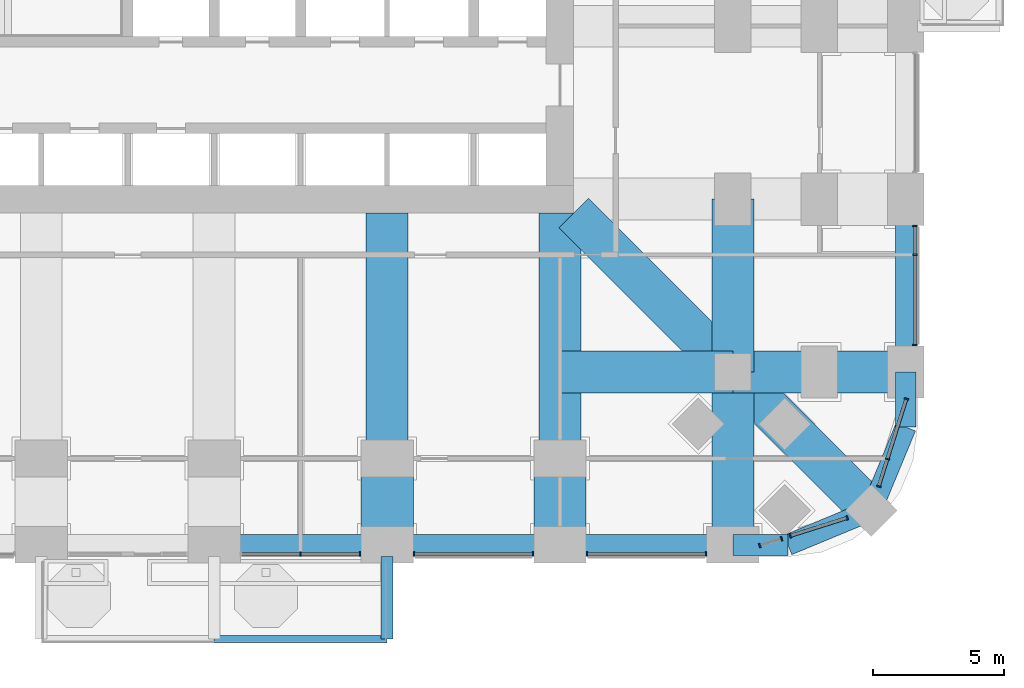
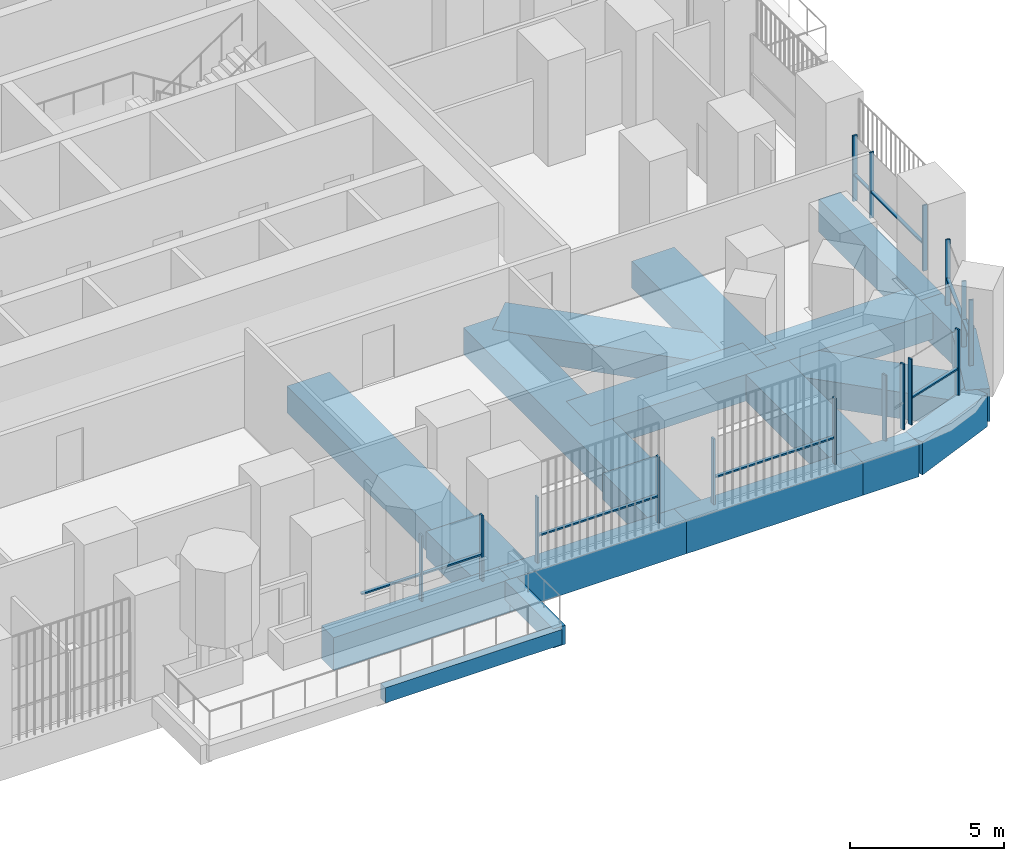
# One storey, part 4 of 25: 25 members, 20 beams, 7 elements without a shape of their own.
"""IFC4 building model written with IfcOpenShell, lengths in metres."""

from ifc_helpers import new_model, si_unit, direction, frame, origin, origin_2d, place, context, subcontext, project, spatial, rectangle, extrude, material, material_profile, profile_set, type_object, element, aggregate, save


model = new_model("IFC4")

# Units and contexts
model_context = context("Model", 3, precision=1e-05, world=origin(), true_north=direction((0.0, 1.0)))
body_context = subcontext(model_context, "Body", "Model", "MODEL_VIEW")
ifc_project = project(units=[si_unit("LENGTHUNIT", "METRE"), si_unit("AREAUNIT", "SQUARE_METRE"), si_unit("VOLUMEUNIT", "CUBIC_METRE"), si_unit("PLANEANGLEUNIT", "RADIAN"), si_unit("MASSUNIT", "GRAM", prefix="KILO")], contexts=[model_context])

# Site, building, storey
site_placement = place(None, origin())
site = spatial("IfcSite", under=ifc_project, at=site_placement, CompositionType="ELEMENT")
building_placement = place(site_placement, origin())
building = spatial("IfcBuilding", under=site, at=building_placement, Name="Cobogo Forest Laboratory Tower", CompositionType="ELEMENT")
storey_placement = place(building_placement, frame((0.0, 0.0, 67.5)))
storey = spatial("IfcBuildingStorey", under=building, at=storey_placement, Name="L15", CompositionType="ELEMENT", Elevation=67.5)

# Beams
ifc_material_1 = material(Name="Concrete HA-40 (C40/50)", Category="concrete")
ifc_material_profile_1 = material_profile(ifc_material_1, rectangle(XDim=0.449951171875, YDim=0.75, at=origin_2d()), Name="RC 450x750")
ifc_profile_set_1 = profile_set([ifc_material_profile_1], Name="Concrete HA-40 (C40/50)")
beam_type_1 = type_object("IfcBeamType", Name="Balcony cantilever beam 450x750", PredefinedType="BEAM", material=ifc_profile_set_1)
beam_1_placement = place(storey_placement, frame((33.0, -0.449951171875, -0.625), z_axis=(0.0, -1.0, 0.0), x_axis=(1.0, 0.0, 0.0)))
element("IfcBeam", 1, at=beam_1_placement, inside=storey, type_object=beam_type_1, Name="CB1 BAL-S1-C3 L15", PredefinedType="BEAM", context=body_context, shape_type="SweptSolid", body=[
    extrude(rectangle(XDim=0.449951171875, YDim=0.75, at=origin_2d()), origin(), (0.0, 0.0, 1.0), 3.150146484375),
])
ifc_material_profile_2 = material_profile(ifc_material_1, rectangle(XDim=0.300048828125, YDim=0.60009765625, at=origin_2d()), Name="RC 300x600")
ifc_profile_set_2 = profile_set([ifc_material_profile_2], Name="Concrete HA-40 (C40/50)")
beam_type_2 = type_object("IfcBeamType", Name="Balcony edge beam 300x600", PredefinedType="BEAM", material=ifc_profile_set_2)
beam_2_placement = place(storey_placement, frame((26.39990234375, -3.60009765625, -0.550048828125), z_axis=(1.0, 0.0, 0.0), x_axis=(0.0, 1.0, 0.0)))
element("IfcBeam", 2, at=beam_2_placement, inside=storey, type_object=beam_type_2, Name="BB1 BAL-S1-T2 L15", PredefinedType="BEAM", context=body_context, shape_type="SweptSolid", body=[
    extrude(rectangle(XDim=0.300048828125, YDim=0.60009765625, at=origin_2d()), origin(), (0.0, 0.0, 1.0), 6.60009765625),
])
ifc_material_2 = material(Name="Concrete HA-50 (C50/60)", Category="concrete")
ifc_material_profile_3 = material_profile(ifc_material_2, rectangle(XDim=2.0, YDim=1.050048828125, at=origin_2d()), Name="RC 2000x1050")
ifc_profile_set_3 = profile_set([ifc_material_profile_3], Name="Concrete HA-50 (C50/60)")
beam_type_3 = type_object("IfcBeamType", Name="End-bay wide beam 2000x1050", PredefinedType="BEAM", material=ifc_profile_set_3)
for number, where, z_axis, x_axis, name in (
    (3, (33.0, 0.0, -0.824951171875), (0.0, 1.0, 0.0), (-1.0, 0.0, 0.0), "RB7 R-6-S-X L15"),
    (4, (39.60009765625, 0.0, -0.824951171875), (0.0, 1.0, 0.0), (-1.0, 0.0, 0.0), "RB7 R-7-S-X L15"),
):
    element("IfcBeam", number, at=place(storey_placement, frame(where, z_axis=z_axis, x_axis=x_axis)), inside=storey, type_object=beam_type_3, Name=name, PredefinedType="BEAM", context=body_context, shape_type="SweptSolid", body=[
        extrude(rectangle(XDim=2.0, YDim=1.050048828125, at=origin_2d()), origin(), (0.0, 0.0, 1.0), 3.300048828125),
    ])
ifc_material_profile_4 = material_profile(ifc_material_2, rectangle(XDim=1.60009765625, YDim=1.050048828125, at=origin_2d()), Name="RC 1600x1050")
ifc_profile_set_4 = profile_set([ifc_material_profile_4], Name="Concrete HA-50 (C50/60)")
beam_type_4 = type_object("IfcBeamType", Name="Laboratory floor wide beam 1600x1050", PredefinedType="BEAM", material=ifc_profile_set_4)
for number, where, z_axis, x_axis, name in (
    (5, (33.0, 12.675048828125, -0.824951171875), (0.0, -1.0, 0.0), (1.0, 0.0, 0.0), "RB8 R-6-S L15"),
    (6, (39.60009765625, 12.675048828125, -0.824951171875), (0.0, -1.0, 0.0), (1.0, 0.0, 0.0), "RB8 R-7-S L15"),
):
    element("IfcBeam", number, at=place(storey_placement, frame(where, z_axis=z_axis, x_axis=x_axis)), inside=storey, type_object=beam_type_4, Name=name, PredefinedType="BEAM", context=body_context, shape_type="SweptSolid", body=[
        extrude(rectangle(XDim=1.60009765625, YDim=1.050048828125, at=origin_2d()), origin(), (0.0, 0.0, 1.0), 9.375),
    ])
beam_3_placement = place(storey_placement, frame((46.199951171875, 0.0, -0.824951171875), z_axis=(0.0, 1.0, 0.0), x_axis=(-1.0, 0.0, 0.0)))
element("IfcBeam", 7, at=beam_3_placement, inside=storey, type_object=beam_type_4, Name="RB8 G-SE-XF L15", PredefinedType="BEAM", context=body_context, shape_type="SweptSolid", body=[
    extrude(rectangle(XDim=1.60009765625, YDim=1.050048828125, at=origin_2d()), origin(), (0.0, 0.0, 1.0), 6.60009765625),
])
beam_4_placement = place(storey_placement, frame((46.199951171875, 6.60009765625, -0.824951171875), z_axis=(0.0, 1.0, 0.0), x_axis=(-1.0, 0.0, 0.0)))
element("IfcBeam", 8, at=beam_4_placement, inside=storey, type_object=beam_type_4, Name="RB8 G-SE-XC L15", PredefinedType="BEAM", context=body_context, shape_type="SweptSolid", body=[
    extrude(rectangle(XDim=1.60009765625, YDim=1.050048828125, at=origin_2d()), origin(), (0.0, 0.0, 1.0), 6.599853515625),
])
beam_5_placement = place(storey_placement, frame((52.800048828125, 6.60009765625, -0.824951171875), z_axis=(-1.0, 0.0, 0.0), x_axis=(0.0, -1.0, 0.0)))
element("IfcBeam", 9, at=beam_5_placement, inside=storey, type_object=beam_type_4, Name="RB8 G-SE-YF L15", PredefinedType="BEAM", context=body_context, shape_type="SweptSolid", body=[
    extrude(rectangle(XDim=1.60009765625, YDim=1.050048828125, at=origin_2d()), origin(), (0.0, 0.0, 1.0), 6.60009765625),
])
beam_6_placement = place(storey_placement, frame((46.199951171875, 6.60009765625, -0.824951171875), z_axis=(-1.0, 0.0, 0.0), x_axis=(0.0, -1.0, 0.0)))
element("IfcBeam", 10, at=beam_6_placement, inside=storey, type_object=beam_type_4, Name="RB8 G-SE-YC L15", PredefinedType="BEAM", context=body_context, shape_type="SweptSolid", body=[
    extrude(rectangle(XDim=1.60009765625, YDim=1.050048828125, at=origin_2d()), origin(), (0.0, 0.0, 1.0), 6.599853515625),
])
beam_7_placement = place(storey_placement, frame((51.48193359375, 1.318115234375, -0.824951171875), z_axis=(-0.707106781187, 0.707106781187, 0.0), x_axis=(-0.707106781187, -0.707106781187, 0.0)))
element("IfcBeam", 11, at=beam_7_placement, inside=storey, type_object=beam_type_4, Name="RB8 G-SE-D1 L15", PredefinedType="BEAM", context=body_context, shape_type="SweptSolid", body=[
    extrude(rectangle(XDim=1.60009765625, YDim=1.050048828125, at=origin_2d()), origin(), (0.0, 0.0, 1.0), 7.469970703125),
])
beam_8_placement = place(storey_placement, frame((46.199951171875, 6.60009765625, -0.824951171875), z_axis=(-0.707106781187, 0.707106781187, 0.0), x_axis=(-0.707106781187, -0.707106781187, 0.0)))
element("IfcBeam", 12, at=beam_8_placement, inside=storey, type_object=beam_type_4, Name="RB8 G-SE-D2 L15", PredefinedType="BEAM", context=body_context, shape_type="SweptSolid", body=[
    extrude(rectangle(XDim=1.60009765625, YDim=1.050048828125, at=origin_2d()), origin(), (0.0, 0.0, 1.0), 8.59130859375),
])

# Curtain wall, members
ifc_material_3 = material(Name="Aluminium curtain wall", Category="aluminium")
curtain_wall_type = type_object("IfcCurtainWallType", Name="CW-1 unitised curtain wall, clear glazing, laboratory floors zones A and B", PredefinedType="USERDEFINED", material=ifc_material_3)
curtain_wall_1_placement = place(storey_placement, origin())
curtain_wall_1 = element("IfcCurtainWall", 13, at=curtain_wall_1_placement, inside=storey, type_object=curtain_wall_type, Name="Curtain wall 04 L15", ObjectType="UNITISED CURTAIN WALL", PredefinedType="USERDEFINED")
ifc_material_4 = material(Name="Aluminium mullion", Category="aluminium")
ifc_material_profile_5 = material_profile(ifc_material_4, rectangle(XDim=0.06005859375, YDim=0.159912109375, at=origin_2d()), Name="AL 60x160")
ifc_profile_set_5 = profile_set([ifc_material_profile_5], Name="Aluminium mullion")
member_type_1 = type_object("IfcMemberType", Name="MU-1 aluminium mullion 60x160", PredefinedType="MULLION", material=ifc_profile_set_5)
member_1_placement = place(storey_placement, frame((29.699951171875, -0.35009765625, 0.0), z_axis=(0.0, 0.0, 1.0), x_axis=(1.0, 0.0, 0.0)))
member_1 = element("IfcMember", 14, at=member_1_placement, type_object=member_type_1, Name="CW-1 mullion 2", PredefinedType="MULLION", context=body_context, shape_type="SweptSolid", body=[
    extrude(rectangle(XDim=0.06005859375, YDim=0.159912109375, at=origin_2d()), origin(), (0.0, 0.0, 1.0), 2.60009765625),
])
member_2_placement = place(storey_placement, frame((31.969970703125, -0.35009765625, 0.0), z_axis=(0.0, 0.0, 1.0), x_axis=(1.0, 0.0, 0.0)))
member_2 = element("IfcMember", 15, at=member_2_placement, type_object=member_type_1, Name="CW-1 mullion 3", PredefinedType="MULLION", context=body_context, shape_type="SweptSolid", body=[
    extrude(rectangle(XDim=0.06005859375, YDim=0.159912109375, at=origin_2d()), origin(), (0.0, 0.0, 1.0), 2.60009765625),
])

curtain_wall_2_placement = place(storey_placement, origin())
curtain_wall_2 = element("IfcCurtainWall", 16, at=curtain_wall_2_placement, inside=storey, type_object=curtain_wall_type, Name="Curtain wall 05 L15", ObjectType="UNITISED CURTAIN WALL", PredefinedType="USERDEFINED")
member_3_placement = place(storey_placement, frame((34.030029296875, -0.35009765625, 0.0), z_axis=(0.0, 0.0, 1.0), x_axis=(1.0, 0.0, 0.0)))
member_3 = element("IfcMember", 17, at=member_3_placement, type_object=member_type_1, Name="CW-1 mullion 1", PredefinedType="MULLION", context=body_context, shape_type="SweptSolid", body=[
    extrude(rectangle(XDim=0.06005859375, YDim=0.159912109375, at=origin_2d()), origin(), (0.0, 0.0, 1.0), 2.60009765625),
])
member_4_placement = place(storey_placement, frame((38.570068359375, -0.35009765625, 0.0), z_axis=(0.0, 0.0, 1.0), x_axis=(1.0, 0.0, 0.0)))
member_4 = element("IfcMember", 18, at=member_4_placement, type_object=member_type_1, Name="CW-1 mullion 2", PredefinedType="MULLION", context=body_context, shape_type="SweptSolid", body=[
    extrude(rectangle(XDim=0.06005859375, YDim=0.159912109375, at=origin_2d()), origin(), (0.0, 0.0, 1.0), 2.60009765625),
])

curtain_wall_3_placement = place(storey_placement, origin())
curtain_wall_3 = element("IfcCurtainWall", 19, at=curtain_wall_3_placement, inside=storey, type_object=curtain_wall_type, Name="Curtain wall 06 L15", ObjectType="UNITISED CURTAIN WALL", PredefinedType="USERDEFINED")
member_5_placement = place(storey_placement, frame((40.6298828125, -0.35009765625, 0.0), z_axis=(0.0, 0.0, 1.0), x_axis=(1.0, 0.0, 0.0)))
member_5 = element("IfcMember", 20, at=member_5_placement, type_object=member_type_1, Name="CW-1 mullion 1", PredefinedType="MULLION", context=body_context, shape_type="SweptSolid", body=[
    extrude(rectangle(XDim=0.06005859375, YDim=0.159912109375, at=origin_2d()), origin(), (0.0, 0.0, 1.0), 2.60009765625),
])
member_6_placement = place(storey_placement, frame((45.169921875, -0.35009765625, 0.0), z_axis=(0.0, 0.0, 1.0), x_axis=(1.0, 0.0, 0.0)))
member_6 = element("IfcMember", 21, at=member_6_placement, type_object=member_type_1, Name="CW-1 mullion 2", PredefinedType="MULLION", context=body_context, shape_type="SweptSolid", body=[
    extrude(rectangle(XDim=0.06005859375, YDim=0.159912109375, at=origin_2d()), origin(), (0.0, 0.0, 1.0), 2.60009765625),
])

curtain_wall_4_placement = place(storey_placement, origin())
curtain_wall_4 = element("IfcCurtainWall", 22, at=curtain_wall_4_placement, inside=storey, type_object=curtain_wall_type, Name="Curtain wall 07 L15", ObjectType="UNITISED CURTAIN WALL", PredefinedType="USERDEFINED")
member_7_placement = place(storey_placement, frame((47.228515625, -0.025146484375, 0.0), z_axis=(0.0, 0.0, 1.0), x_axis=(0.953581406818, 0.301135352577, 0.0)))
member_7 = element("IfcMember", 23, at=member_7_placement, type_object=member_type_1, Name="CW-1 mullion 1", PredefinedType="MULLION", context=body_context, shape_type="SweptSolid", body=[
    extrude(rectangle(XDim=0.06005859375, YDim=0.159912109375, at=origin_2d()), origin(), (0.0, 0.0, 1.0), 2.60009765625),
])
member_8_placement = place(storey_placement, frame((48.05322265625, 0.2353515625, 0.0), z_axis=(0.0, 0.0, 1.0), x_axis=(0.953581406818, 0.301135352577, 0.0)))
member_8 = element("IfcMember", 24, at=member_8_placement, type_object=member_type_1, Name="CW-1 mullion 2", PredefinedType="MULLION", context=body_context, shape_type="SweptSolid", body=[
    extrude(rectangle(XDim=0.06005859375, YDim=0.159912109375, at=origin_2d()), origin(), (0.0, 0.0, 1.0), 2.60009765625),
])
aggregate(curtain_wall_4, [member_7, member_8])

curtain_wall_5_placement = place(storey_placement, origin())
curtain_wall_5 = element("IfcCurtainWall", 25, at=curtain_wall_5_placement, inside=storey, type_object=curtain_wall_type, Name="Curtain wall 08 L15", ObjectType="UNITISED CURTAIN WALL", PredefinedType="USERDEFINED")
member_9_placement = place(storey_placement, frame((48.403076171875, 0.345703125, 0.0), z_axis=(0.0, 0.0, 1.0), x_axis=(0.953581409645, 0.301135343623, 0.0)))
member_9 = element("IfcMember", 26, at=member_9_placement, type_object=member_type_1, Name="CW-1 mullion 1", PredefinedType="MULLION", context=body_context, shape_type="SweptSolid", body=[
    extrude(rectangle(XDim=0.06005859375, YDim=0.159912109375, at=origin_2d()), origin(), (0.0, 0.0, 1.0), 2.60009765625),
])
member_10_placement = place(storey_placement, frame((50.561279296875, 1.02734375, 0.0), z_axis=(0.0, 0.0, 1.0), x_axis=(0.953581409645, 0.301135343623, 0.0)))
member_10 = element("IfcMember", 27, at=member_10_placement, type_object=member_type_1, Name="CW-1 mullion 2", PredefinedType="MULLION", context=body_context, shape_type="SweptSolid", body=[
    extrude(rectangle(XDim=0.06005859375, YDim=0.159912109375, at=origin_2d()), origin(), (0.0, 0.0, 1.0), 2.60009765625),
])

curtain_wall_6_placement = place(storey_placement, origin())
curtain_wall_6 = element("IfcCurtainWall", 28, at=curtain_wall_6_placement, inside=storey, type_object=curtain_wall_type, Name="Curtain wall 09 L15", ObjectType="UNITISED CURTAIN WALL", PredefinedType="USERDEFINED")
member_11_placement = place(storey_placement, frame((51.772705078125, 2.23876953125, 0.0), z_axis=(0.0, 0.0, 1.0), x_axis=(0.301135433696, 0.953581381201, 0.0)))
member_11 = element("IfcMember", 29, at=member_11_placement, type_object=member_type_1, Name="CW-1 mullion 1", PredefinedType="MULLION", context=body_context, shape_type="SweptSolid", body=[
    extrude(rectangle(XDim=0.06005859375, YDim=0.159912109375, at=origin_2d()), origin(), (0.0, 0.0, 1.0), 2.60009765625),
])
member_12_placement = place(storey_placement, frame((52.100341796875, 3.27587890625, 0.0), z_axis=(0.0, 0.0, 1.0), x_axis=(0.301135433696, 0.953581381201, 0.0)))
member_12 = element("IfcMember", 30, at=member_12_placement, type_object=member_type_1, Name="CW-1 mullion 2", PredefinedType="MULLION", context=body_context, shape_type="SweptSolid", body=[
    extrude(rectangle(XDim=0.06005859375, YDim=0.159912109375, at=origin_2d()), origin(), (0.0, 0.0, 1.0), 2.60009765625),
])
member_13_placement = place(storey_placement, frame((52.8251953125, 5.5712890625, 0.0), z_axis=(0.0, 0.0, 1.0), x_axis=(0.301135433696, 0.953581381201, 0.0)))
member_13 = element("IfcMember", 31, at=member_13_placement, type_object=member_type_1, Name="CW-1 mullion 3", PredefinedType="MULLION", context=body_context, shape_type="SweptSolid", body=[
    extrude(rectangle(XDim=0.06005859375, YDim=0.159912109375, at=origin_2d()), origin(), (0.0, 0.0, 1.0), 2.60009765625),
])

curtain_wall_7_placement = place(storey_placement, origin())
curtain_wall_7 = element("IfcCurtainWall", 32, at=curtain_wall_7_placement, inside=storey, type_object=curtain_wall_type, Name="Curtain wall 10 L15", ObjectType="UNITISED CURTAIN WALL", PredefinedType="USERDEFINED")
member_14_placement = place(storey_placement, frame((53.14990234375, 7.6298828125, 0.0), z_axis=(0.0, 0.0, 1.0), x_axis=(0.0, 1.0, 0.0)))
member_14 = element("IfcMember", 33, at=member_14_placement, type_object=member_type_1, Name="CW-1 mullion 1", PredefinedType="MULLION", context=body_context, shape_type="SweptSolid", body=[
    extrude(rectangle(XDim=0.06005859375, YDim=0.159912109375, at=origin_2d()), origin(), (0.0, 0.0, 1.0), 2.60009765625),
])
member_15_placement = place(storey_placement, frame((53.14990234375, 11.074951171875, 0.0), z_axis=(0.0, 0.0, 1.0), x_axis=(0.0, 1.0, 0.0)))
member_15 = element("IfcMember", 34, at=member_15_placement, type_object=member_type_1, Name="CW-1 mullion 2", PredefinedType="MULLION", context=body_context, shape_type="SweptSolid", body=[
    extrude(rectangle(XDim=0.06005859375, YDim=0.159912109375, at=origin_2d()), origin(), (0.0, 0.0, 1.0), 2.60009765625),
])
member_16_placement = place(storey_placement, frame((53.14990234375, 12.169921875, 0.0), z_axis=(0.0, 0.0, 1.0), x_axis=(0.0, 1.0, 0.0)))
member_16 = element("IfcMember", 35, at=member_16_placement, type_object=member_type_1, Name="CW-1 mullion 3", PredefinedType="MULLION", context=body_context, shape_type="SweptSolid", body=[
    extrude(rectangle(XDim=0.06005859375, YDim=0.159912109375, at=origin_2d()), origin(), (0.0, 0.0, 1.0), 2.60009765625),
])

# Beams
ifc_material_profile_6 = material_profile(ifc_material_1, rectangle(XDim=0.800048828125, YDim=1.300048828125, at=origin_2d()), Name="RC 800x1300")
ifc_profile_set_6 = profile_set([ifc_material_profile_6], Name="Concrete HA-40 (C40/50)")
beam_type_5 = type_object("IfcBeamType", Name="Perimeter edge beam 800x1300", PredefinedType="BEAM", material=ifc_profile_set_6)
for number, where, z_axis, x_axis, name in (
    (36, (26.39990234375, 0.0, -0.949951171875), (1.0, 0.0, 0.0), (0.0, 1.0, 0.0), "EB2 E-S4 L15"),
    (37, (33.0, 0.0, -0.949951171875), (1.0, 0.0, 0.0), (0.0, 1.0, 0.0), "EB2 E-S5 L15"),
):
    element("IfcBeam", number, at=place(storey_placement, frame(where, z_axis=z_axis, x_axis=x_axis)), inside=storey, type_object=beam_type_5, Name=name, PredefinedType="BEAM", context=body_context, shape_type="SweptSolid", body=[
        extrude(rectangle(XDim=0.800048828125, YDim=1.300048828125, at=origin_2d()), origin(), (0.0, 0.0, 1.0), 6.60009765625),
    ])
for number, where, z_axis, x_axis, name in (
    (38, (39.60009765625, 0.0, -0.949951171875), (1.0, 0.0, 0.0), (0.0, 1.0, 0.0), "EB2 E-S6 L15"),
    (39, (52.800048828125, 6.60009765625, -0.949951171875), (0.0, 1.0, 0.0), (-1.0, 0.0, 0.0), "EB2 E-E1 L15"),
):
    element("IfcBeam", number, at=place(storey_placement, frame(where, z_axis=z_axis, x_axis=x_axis)), inside=storey, type_object=beam_type_5, Name=name, PredefinedType="BEAM", context=body_context, shape_type="SweptSolid", body=[
        extrude(rectangle(XDim=0.800048828125, YDim=1.300048828125, at=origin_2d()), origin(), (0.0, 0.0, 1.0), 6.599853515625),
    ])
beam_9_placement = place(storey_placement, frame((46.199951171875, 0.0, -0.949951171875), z_axis=(1.0, 0.0, 0.0), x_axis=(0.0, 1.0, 0.0)))
element("IfcBeam", 40, at=beam_9_placement, inside=storey, type_object=beam_type_5, Name="EB2 E-SES1 L15", PredefinedType="BEAM", context=body_context, shape_type="SweptSolid", body=[
    extrude(rectangle(XDim=0.800048828125, YDim=1.300048828125, at=origin_2d()), origin(), (0.0, 0.0, 1.0), 2.10009765625),
])
beam_10_placement = place(storey_placement, frame((48.300048828125, 0.0, -0.949951171875), z_axis=(0.923865631356, 0.382716990999, 0.0), x_axis=(-0.382716990999, 0.923865631356, 0.0)))
element("IfcBeam", 41, at=beam_10_placement, inside=storey, type_object=beam_type_5, Name="EB2 E-SES2 L15", PredefinedType="BEAM", context=body_context, shape_type="SweptSolid", body=[
    extrude(rectangle(XDim=0.800048828125, YDim=1.300048828125, at=origin_2d()), origin(), (0.0, 0.0, 1.0), 3.444091796875),
])
beam_11_placement = place(storey_placement, frame((52.800048828125, 6.60009765625, -0.949951171875), z_axis=(0.0, -1.0, 0.0), x_axis=(1.0, 0.0, 0.0)))
element("IfcBeam", 42, at=beam_11_placement, inside=storey, type_object=beam_type_5, Name="EB2 E-SEE1 L15", PredefinedType="BEAM", context=body_context, shape_type="SweptSolid", body=[
    extrude(rectangle(XDim=0.800048828125, YDim=1.300048828125, at=origin_2d()), origin(), (0.0, 0.0, 1.0), 2.10009765625),
])
beam_12_placement = place(storey_placement, frame((52.800048828125, 4.5, -0.949951171875), z_axis=(-0.382716990999, -0.923865631356, 0.0), x_axis=(0.923865631356, -0.382716990999, 0.0)))
element("IfcBeam", 43, at=beam_12_placement, inside=storey, type_object=beam_type_5, Name="EB2 E-SEE2 L15", PredefinedType="BEAM", context=body_context, shape_type="SweptSolid", body=[
    extrude(rectangle(XDim=0.800048828125, YDim=1.300048828125, at=origin_2d()), origin(), (0.0, 0.0, 1.0), 3.444091796875),
])

# Member
ifc_material_5 = material(Name="Aluminium transom", Category="aluminium")
ifc_material_profile_7 = material_profile(ifc_material_5, rectangle(XDim=0.1201171875, YDim=0.06005859375, at=origin_2d()), Name="AL 60x120")
ifc_profile_set_7 = profile_set([ifc_material_profile_7], Name="Aluminium transom")
member_type_2 = type_object("IfcMemberType", Name="TR-1 aluminium transom 60x120", PredefinedType="USERDEFINED", material=ifc_profile_set_7)
member_17_placement = place(storey_placement, frame((27.4599609375, -0.35009765625, 1.050048828125), z_axis=(1.0, 0.0, 0.0), x_axis=(0.0, 1.0, 0.0)))
member_17 = element("IfcMember", 44, at=member_17_placement, type_object=member_type_2, Name="CW-1 transom 1.1", ObjectType="TRANSOM", PredefinedType="USERDEFINED", context=body_context, shape_type="SweptSolid", body=[
    extrude(rectangle(XDim=0.1201171875, YDim=0.06005859375, at=origin_2d()), origin(), (0.0, 0.0, 1.0), 2.2099609375),
])

member_18_placement = place(storey_placement, frame((29.72998046875, -0.35009765625, 1.050048828125), z_axis=(1.0, 0.0, 0.0), x_axis=(0.0, 1.0, 0.0)))
member_18 = element("IfcMember", 45, at=member_18_placement, type_object=member_type_2, Name="CW-1 transom 2.1", ObjectType="TRANSOM", PredefinedType="USERDEFINED", context=body_context, shape_type="SweptSolid", body=[
    extrude(rectangle(XDim=0.1201171875, YDim=0.06005859375, at=origin_2d()), origin(), (0.0, 0.0, 1.0), 2.2099609375),
])

aggregate(curtain_wall_1, [member_1, member_2, member_17, member_18])

member_19_placement = place(storey_placement, frame((34.06005859375, -0.35009765625, 1.050048828125), z_axis=(1.0, 0.0, 0.0), x_axis=(0.0, 1.0, 0.0)))
member_19 = element("IfcMember", 46, at=member_19_placement, type_object=member_type_2, Name="CW-1 transom 1.1", ObjectType="TRANSOM", PredefinedType="USERDEFINED", context=body_context, shape_type="SweptSolid", body=[
    extrude(rectangle(XDim=0.1201171875, YDim=0.06005859375, at=origin_2d()), origin(), (0.0, 0.0, 1.0), 4.47998046875),
])

aggregate(curtain_wall_2, [member_3, member_4, member_19])

member_20_placement = place(storey_placement, frame((40.659912109375, -0.35009765625, 1.050048828125), z_axis=(1.0, 0.0, 0.0), x_axis=(0.0, 1.0, 0.0)))
member_20 = element("IfcMember", 47, at=member_20_placement, type_object=member_type_2, Name="CW-1 transom 1.1", ObjectType="TRANSOM", PredefinedType="USERDEFINED", context=body_context, shape_type="SweptSolid", body=[
    extrude(rectangle(XDim=0.1201171875, YDim=0.06005859375, at=origin_2d()), origin(), (0.0, 0.0, 1.0), 4.47998046875),
])

aggregate(curtain_wall_3, [member_5, member_6, member_20])

member_21_placement = place(storey_placement, frame((48.431640625, 0.354736328125, 1.050048828125), z_axis=(0.953572616955, 0.301163185322, 0.0), x_axis=(-0.301163185322, 0.953572616955, 0.0)))
member_21 = element("IfcMember", 48, at=member_21_placement, type_object=member_type_2, Name="CW-1 transom 1.1", ObjectType="TRANSOM", PredefinedType="USERDEFINED", context=body_context, shape_type="SweptSolid", body=[
    extrude(rectangle(XDim=0.1201171875, YDim=0.06005859375, at=origin_2d()), origin(), (0.0, 0.0, 1.0), 2.203369140625),
])

aggregate(curtain_wall_5, [member_9, member_10, member_21])

member_22_placement = place(storey_placement, frame((51.78173828125, 2.267333984375, 1.050048828125), z_axis=(0.301222320394, 0.953553938535, 0.0), x_axis=(-0.953553938535, 0.301222320394, 0.0)))
member_22 = element("IfcMember", 49, at=member_22_placement, type_object=member_type_2, Name="CW-1 transom 1.1", ObjectType="TRANSOM", PredefinedType="USERDEFINED", context=body_context, shape_type="SweptSolid", body=[
    extrude(rectangle(XDim=0.1201171875, YDim=0.06005859375, at=origin_2d()), origin(), (0.0, 0.0, 1.0), 1.02783203125),
])

member_23_placement = place(storey_placement, frame((52.109375, 3.304443359375, 1.050048828125), z_axis=(0.301116434103, 0.953587380953, 0.0), x_axis=(-0.953587380953, 0.301116434103, 0.0)))
member_23 = element("IfcMember", 50, at=member_23_placement, type_object=member_type_2, Name="CW-1 transom 2.1", ObjectType="TRANSOM", PredefinedType="USERDEFINED", context=body_context, shape_type="SweptSolid", body=[
    extrude(rectangle(XDim=0.1201171875, YDim=0.06005859375, at=origin_2d()), origin(), (0.0, 0.0, 1.0), 2.34716796875),
])

aggregate(curtain_wall_6, [member_11, member_12, member_13, member_22, member_23])

member_24_placement = place(storey_placement, frame((53.14990234375, 7.659912109375, 1.050048828125), z_axis=(0.0, 1.0, 0.0), x_axis=(-1.0, 0.0, 0.0)))
member_24 = element("IfcMember", 51, at=member_24_placement, type_object=member_type_2, Name="CW-1 transom 1.1", ObjectType="TRANSOM", PredefinedType="USERDEFINED", context=body_context, shape_type="SweptSolid", body=[
    extrude(rectangle(XDim=0.1201171875, YDim=0.06005859375, at=origin_2d()), origin(), (0.0, 0.0, 1.0), 3.385009765625),
])

member_25_placement = place(storey_placement, frame((53.14990234375, 11.10498046875, 1.050048828125), z_axis=(0.0, 1.0, 0.0), x_axis=(-1.0, 0.0, 0.0)))
member_25 = element("IfcMember", 52, at=member_25_placement, type_object=member_type_2, Name="CW-1 transom 2.1", ObjectType="TRANSOM", PredefinedType="USERDEFINED", context=body_context, shape_type="SweptSolid", body=[
    extrude(rectangle(XDim=0.1201171875, YDim=0.06005859375, at=origin_2d()), origin(), (0.0, 0.0, 1.0), 1.034912109375),
])

aggregate(curtain_wall_7, [member_14, member_15, member_16, member_24, member_25])

save(model, "model.ifc")
